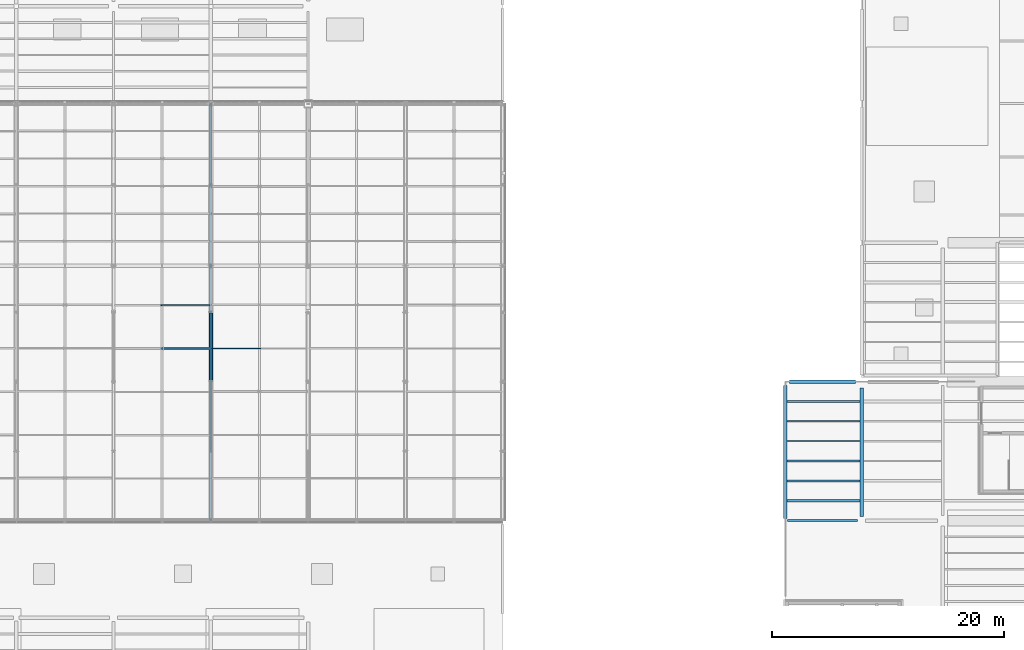
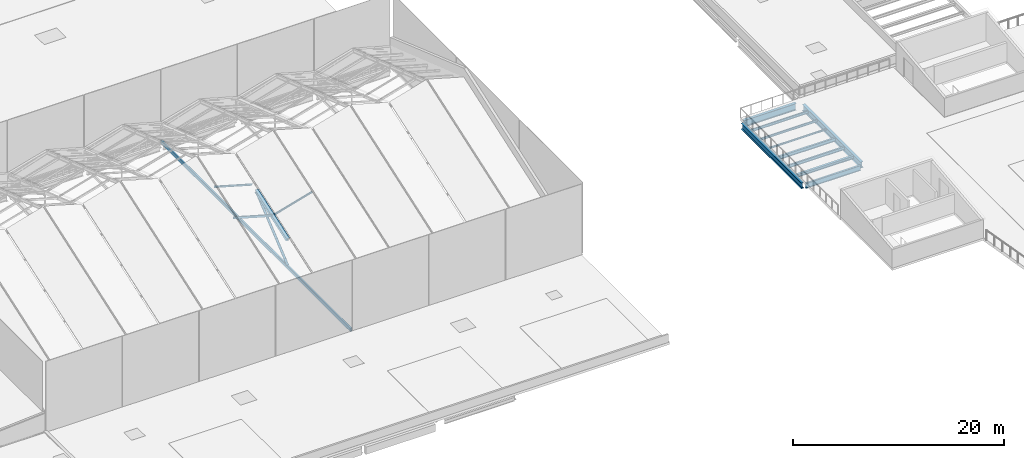
# One storey, part 24 of 77: 10 beams, 6 members.
"""IFC4 building model written with IfcOpenShell, lengths in metres."""

import ifcopenshell
import ifcopenshell.guid

model = None  # the IFC model being written
_history = None  # IfcOwnerHistory: only IFC2X3 demands one
_inside = {}  # id of a spatial element -> (the spatial element, [elements in it])
_under = {}  # id of a project, library or spatial element -> (it, [spatial elements below it])
_declared = {}  # id of a project -> (the project, [libraries it declares])
_typed = {}  # id of a type object -> (the type object, [elements of that type])
_made_of = {}  # id of a material, layer set ... -> (it, [elements and type objects made of it])


def new_model(schema):
    """Start an empty IFC model of exactly this schema.

    Asked for "IFC4X3", IfcOpenShell would pick the latest addendum, in which some entities
    have other attributes; the version numbers below select the first issue.
    IFC2X3 requires an IfcOwnerHistory on every rooted entity: one is made here for all.
    """
    global model, _history
    if schema == "IFC4X3":
        model = ifcopenshell.file(schema_version=(4, 3, 0, 0))
    else:
        model = ifcopenshell.file(schema=schema)
    _inside.clear()
    _under.clear()
    _declared.clear()
    _typed.clear()
    _made_of.clear()
    _history = None
    if model.schema == "IFC2X3":
        org = make("IfcOrganization", Name="unknown")
        user = make(
            "IfcPersonAndOrganization",
            ThePerson=make("IfcPerson", FamilyName="unknown"),
            TheOrganization=org,
        )
        app = make(
            "IfcApplication",
            ApplicationDeveloper=org,
            Version="unknown",
            ApplicationFullName="unknown",
            ApplicationIdentifier="unknown",
        )
        _history = make(
            "IfcOwnerHistory",
            OwningUser=user,
            OwningApplication=app,
            ChangeAction="ADDED",
            CreationDate=0,
        )
    return model


def make(cls, **values):
    """One entity of the class cls with the attributes given. An attribute that is None is left unset."""
    return model.create_entity(
        cls, **{name: value for name, value in values.items() if value is not None}
    )


def rooted(cls, **values):
    """An entity with a GlobalId (a new one), such as an element, a storey or a relation."""
    return make(cls, GlobalId=ifcopenshell.guid.new(), OwnerHistory=_history, **values)


def si_unit(unit_type, name, prefix=None):
    """IfcSIUnit, for example si_unit("LENGTHUNIT", "METRE", prefix="MILLI")."""
    return make("IfcSIUnit", UnitType=unit_type, Prefix=prefix, Name=name)


def assignment(units):
    """IfcUnitAssignment: the units of a project."""
    return None if units is None else make("IfcUnitAssignment", Units=units)


def point(xyz):
    """IfcCartesianPoint."""
    return None if xyz is None else make("IfcCartesianPoint", Coordinates=xyz)


def direction(xyz):
    """IfcDirection."""
    return None if xyz is None else make("IfcDirection", DirectionRatios=xyz)


def frame(location, z_axis=None, x_axis=None):
    """IfcAxis2Placement3D, a coordinate frame: its origin and axes. An axis left out is left unset."""
    return make(
        "IfcAxis2Placement3D",
        Location=point(location),
        Axis=direction(z_axis),
        RefDirection=direction(x_axis),
    )


def frame_2d(location, x_axis=None):
    """IfcAxis2Placement2D, a coordinate frame in the plane: its origin and x axis."""
    return make(
        "IfcAxis2Placement2D", Location=point(location), RefDirection=direction(x_axis)
    )


def origin():
    """The frame at (0, 0, 0) with its axes left unset."""
    return frame((0.0, 0.0, 0.0))


def origin_2d():
    """The frame at (0, 0) in the plane with its x axis left unset."""
    return frame_2d((0.0, 0.0))


def place(relative_to, where):
    """IfcLocalPlacement: puts the frame where relative to a parent placement (None: the world)."""
    return make(
        "IfcLocalPlacement", PlacementRelTo=relative_to, RelativePlacement=where
    )


def context(
    kind, dimensions, precision=None, world=None, true_north=None, identifier=None
):
    """IfcGeometricRepresentationContext, for example the 3D "Model" context."""
    return make(
        "IfcGeometricRepresentationContext",
        ContextIdentifier=identifier,
        ContextType=kind,
        CoordinateSpaceDimension=dimensions,
        Precision=precision,
        WorldCoordinateSystem=world,
        TrueNorth=true_north,
    )


def subcontext(parent, identifier, kind, view, scale=None):
    """IfcGeometricRepresentationSubContext, for example "Body" below "Model"."""
    return make(
        "IfcGeometricRepresentationSubContext",
        ContextIdentifier=identifier,
        ContextType=kind,
        ParentContext=parent,
        TargetScale=scale,
        TargetView=view,
    )


def project(units=None, contexts=None):
    """IfcProject with its units and contexts."""
    return rooted(
        "IfcProject",
        Name="project",
        RepresentationContexts=contexts,
        UnitsInContext=assignment(units),
    )


def spatial(cls, under=None, at=None, **own):
    """A site, building, storey or space (cls), placed at a placement, below another one or the project."""
    s = rooted(cls, ObjectPlacement=at, **own)
    if under is not None:
        _under.setdefault(under.id(), (under, []))[1].append(s)
    return s


def profile(cls, at=None, kind="AREA", **sizes):
    """A parametric profile (cls). Its sizes go by their IFC names, for example OverallWidth=200.0."""
    return make(cls, ProfileType=kind, Position=at, **sizes)


def hollow_rectangle(**sizes):
    """IfcRectangleHollowProfileDef."""
    return profile("IfcRectangleHollowProfileDef", **sizes)


def hollow_circle(**sizes):
    """IfcCircleHollowProfileDef."""
    return profile("IfcCircleHollowProfileDef", **sizes)


def i_section(**sizes):
    """IfcIShapeProfileDef."""
    return profile("IfcIShapeProfileDef", **sizes)


def extrude(swept, where, along, depth):
    """IfcExtrudedAreaSolid: the profile swept, set in the frame where, extruded along a direction by depth."""
    return make(
        "IfcExtrudedAreaSolid",
        SweptArea=swept,
        Position=where,
        ExtrudedDirection=direction(along),
        Depth=depth,
    )


def shape(context_of_items, identifier, shape_type, items):
    """IfcShapeRepresentation: the items that make up one representation, for example the "Body"."""
    return make(
        "IfcShapeRepresentation",
        ContextOfItems=context_of_items,
        RepresentationIdentifier=identifier,
        RepresentationType=shape_type,
        Items=items,
    )


def material(Name=None, Category=None):
    """IfcMaterial."""
    return make("IfcMaterial", Name=Name, Category=Category)


def material_profile(
    of_material, cross_section, Name=None, Category=None, Priority=None
):
    """IfcMaterialProfile: a cross section and its material."""
    return make(
        "IfcMaterialProfile",
        Name=Name,
        Material=of_material,
        Profile=cross_section,
        Priority=Priority,
        Category=Category,
    )


def profile_set(profiles, Name=None, composite=None):
    """IfcMaterialProfileSet."""
    return make(
        "IfcMaterialProfileSet",
        Name=Name,
        MaterialProfiles=profiles,
        CompositeProfile=composite,
    )


def made_of(thing, what):
    """Note that an element or type object is made of a material, layer set ...; save() writes the relation."""
    if what is not None:
        _made_of.setdefault(what.id(), (what, []))[1].append(thing)
    return thing


def type_object(cls, material=None, **own):
    """A type object (cls), such as IfcWallType, which elements share."""
    return made_of(rooted(cls, **own), material)


def element(
    cls,
    number,
    at=None,
    inside=None,
    cuts=None,
    type_object=None,
    material=None,
    context=None,
    identifier="Body",
    shape_type=None,
    held_by="IfcProductDefinitionShape",
    body=None,
    shapes=None,
    **own,
):
    """One element of the class cls, such as IfcWall. Its Tag is "e" and its number.

    at: its placement. inside: the storey or other place that contains it. cuts: it is an
    opening in that element (IfcRelVoidsElement). A single representation is given by context,
    identifier, shape_type and body (its items); several are given by shapes. held_by: the class
    of the entity that holds the representations. save() writes the other relations.
    """
    e = rooted(cls, Tag="e%d" % number, ObjectPlacement=at, **own)
    if body is not None:
        shapes = [shape(context, identifier, shape_type, body)]
    if shapes is not None:
        e.Representation = make(held_by, Representations=shapes)
    if inside is not None:
        _inside.setdefault(inside.id(), (inside, []))[1].append(e)
    if cuts is not None:
        rooted(
            "IfcRelVoidsElement", RelatingBuildingElement=cuts, RelatedOpeningElement=e
        )
    if type_object is not None:
        _typed.setdefault(type_object.id(), (type_object, []))[1].append(e)
    return made_of(e, material)


def aggregate(whole, parts):
    """IfcRelAggregates: a whole, such as a stair, and the parts it consists of."""
    return rooted("IfcRelAggregates", RelatingObject=whole, RelatedObjects=parts)


def save(model, path):
    """Write the relations noted so far, then the file.

    IfcRelAggregates (storeys below a building ...), IfcRelContainedInSpatialStructure (elements
    in a storey), IfcRelDefinesByType, IfcRelAssociatesMaterial and IfcRelDeclares: one each for
    every whole, place, type object, material and project.
    """
    for whole, parts in _under.values():
        aggregate(whole, parts)
    for where, things in _inside.values():
        rooted(
            "IfcRelContainedInSpatialStructure",
            RelatedElements=things,
            RelatingStructure=where,
        )
    for kind, things in _typed.values():
        rooted("IfcRelDefinesByType", RelatedObjects=things, RelatingType=kind)
    for what, things in _made_of.values():
        rooted("IfcRelAssociatesMaterial", RelatedObjects=things, RelatingMaterial=what)
    for by, libraries in _declared.values():
        rooted("IfcRelDeclares", RelatingContext=by, RelatedDefinitions=libraries)
    model.write(path)


model = new_model("IFC4")

# Units and contexts
model_context = context("Model", 3, precision=1e-05, world=origin(), true_north=direction((0.0, 1.0)))
body_context = subcontext(model_context, "Body", "Model", "MODEL_VIEW")
ifc_project = project(units=[si_unit("LENGTHUNIT", "METRE"), si_unit("AREAUNIT", "SQUARE_METRE"), si_unit("VOLUMEUNIT", "CUBIC_METRE"), si_unit("PLANEANGLEUNIT", "RADIAN"), si_unit("MASSUNIT", "GRAM", prefix="KILO")], contexts=[model_context])

# Site, building, storey
site_placement = place(None, origin())
site = spatial("IfcSite", under=ifc_project, at=site_placement, CompositionType="ELEMENT")
building_placement = place(site_placement, origin())
building = spatial("IfcBuilding", under=site, at=building_placement, Name="Larkvane Passage Sports Hall", CompositionType="ELEMENT")
storey_placement = place(building_placement, frame((0.0, 0.0, 22.199951171875)))
storey = spatial("IfcBuildingStorey", under=building, at=storey_placement, Name="RF", CompositionType="ELEMENT", Elevation=22.199951171875)

# Beams
ifc_material_1 = material(Name="Steel S355JR", Category="steel")
ifc_material_profile_1 = material_profile(ifc_material_1, i_section(OverallWidth=0.199951171875, OverallDepth=0.60009765625, WebThickness=0.010986328125, FlangeThickness=0.01708984375, FilletRadius=0.01806640625, at=origin_2d()), Name="H-600x200x11x17")
ifc_profile_set_1 = profile_set([ifc_material_profile_1], Name="Steel S355JR")
beam_type_1 = type_object("IfcBeamType", Name="BM-STL-H600", PredefinedType="BEAM", material=ifc_profile_set_1)
beam_1_placement = place(storey_placement, frame((118.199951171875, 39.60009765625, -0.679931640625), z_axis=(1.0, 0.0, 0.0), x_axis=(0.0, 1.0, 0.0)))
element("IfcBeam", 1, at=beam_1_placement, inside=storey, type_object=beam_type_1, Name="Girder BM5-X-RF-F-1138", PredefinedType="BEAM", context=body_context, shape_type="SweptSolid", body=[
    extrude(i_section(OverallWidth=0.199951171875, OverallDepth=0.60009765625, WebThickness=0.010986328125, FlangeThickness=0.01708984375, FilletRadius=0.01806640625, at=origin_2d()), origin(), (0.0, 0.0, 1.0), 6.050048828125),
])
ifc_material_2 = material(Name="Steel S460N", Category="steel")
ifc_material_profile_2 = material_profile(ifc_material_2, i_section(OverallWidth=0.300048828125, OverallDepth=0.69189453125, WebThickness=0.012939453125, FlangeThickness=0.02001953125, FilletRadius=0.02197265625, at=origin_2d()), Name="H-692x300x13x20")
ifc_profile_set_2 = profile_set([ifc_material_profile_2], Name="Steel S460N")
beam_type_2 = type_object("IfcBeamType", Name="BM-STL-H692", PredefinedType="BEAM", material=ifc_profile_set_2)
beam_2_placement = place(storey_placement, frame((118.0, 39.800048828125, -0.725830078125), z_axis=(0.0, 1.0, 0.0), x_axis=(-1.0, 0.0, 0.0)))
element("IfcBeam", 2, at=beam_2_placement, inside=storey, type_object=beam_type_2, Name="Girder BM5-Y-RF-16-1182", PredefinedType="BEAM", context=body_context, shape_type="SweptSolid", body=[
    extrude(i_section(OverallWidth=0.300048828125, OverallDepth=0.69189453125, WebThickness=0.012939453125, FlangeThickness=0.02001953125, FilletRadius=0.02197265625, at=origin_2d()), origin(), (0.0, 0.0, 1.0), 11.449951171875),
])
ifc_material_profile_3 = material_profile(ifc_material_2, i_section(OverallWidth=0.300048828125, OverallDepth=0.699951171875, WebThickness=0.012939453125, FlangeThickness=0.02392578125, FilletRadius=0.02197265625, at=origin_2d()), Name="H-700x300x13x24")
ifc_profile_set_3 = profile_set([ifc_material_profile_3], Name="Steel S460N")
beam_type_3 = type_object("IfcBeamType", Name="BM-STL-H700", PredefinedType="BEAM", material=ifc_profile_set_3)
beam_3_placement = place(storey_placement, frame((124.60009765625, 39.949951171875, -0.72998046875), z_axis=(0.0, 1.0, 0.0), x_axis=(-1.0, 0.0, 0.0)))
element("IfcBeam", 3, at=beam_3_placement, inside=storey, type_object=beam_type_3, Name="Girder BM5-Y-RF-17-1183", PredefinedType="BEAM", context=body_context, shape_type="SweptSolid", body=[
    extrude(i_section(OverallWidth=0.300048828125, OverallDepth=0.699951171875, WebThickness=0.012939453125, FlangeThickness=0.02392578125, FilletRadius=0.02197265625, at=origin_2d()), origin(), (0.0, 0.0, 1.0), 11.10009765625),
])
ifc_material_profile_4 = material_profile(ifc_material_2, i_section(OverallWidth=0.300048828125, OverallDepth=0.7919921875, WebThickness=0.013916015625, FlangeThickness=0.02197265625, FilletRadius=0.02197265625, at=origin_2d()), Name="H-792x300x14x22")
ifc_profile_set_4 = profile_set([ifc_material_profile_4], Name="Steel S460N")
beam_type_4 = type_object("IfcBeamType", Name="BM-STL-H792", PredefinedType="BEAM", material=ifc_profile_set_4)
beam_4_placement = place(storey_placement, frame((118.35009765625, 51.60009765625, -0.77587890625), z_axis=(1.0, 0.0, 0.0), x_axis=(0.0, 1.0, 0.0)))
element("IfcBeam", 4, at=beam_4_placement, inside=storey, type_object=beam_type_4, Name="Girder BM5-X-RF-G-1141", PredefinedType="BEAM", context=body_context, shape_type="SweptSolid", body=[
    extrude(i_section(OverallWidth=0.300048828125, OverallDepth=0.7919921875, WebThickness=0.013916015625, FlangeThickness=0.02197265625, FilletRadius=0.02197265625, at=origin_2d()), origin(), (0.0, 0.0, 1.0), 5.699951171875),
])
ifc_material_profile_5 = material_profile(ifc_material_1, i_section(OverallWidth=0.10009765625, OverallDepth=0.199951171875, WebThickness=0.005615234375, FlangeThickness=0.008056640625, FilletRadius=0.008056640625, at=origin_2d()), Name="H-200x100x5.5x8")
ifc_profile_set_5 = profile_set([ifc_material_profile_5], Name="Steel S355JR")
beam_type_5 = type_object("IfcBeamType", Name="JST-STL-H200", PredefinedType="JOIST", material=ifc_profile_set_5)
beam_5_placement = place(storey_placement, frame((118.14990234375, 46.45703125, -0.47998046875), z_axis=(1.0, 0.0, 0.0), x_axis=(0.0, 1.0, 0.0)))
element("IfcBeam", 5, at=beam_5_placement, inside=storey, type_object=beam_type_5, Name="Composite joist RF 16/F-4", PredefinedType="JOIST", context=body_context, shape_type="SweptSolid", body=[
    extrude(i_section(OverallWidth=0.10009765625, OverallDepth=0.199951171875, WebThickness=0.005615234375, FlangeThickness=0.008056640625, FilletRadius=0.008056640625, at=origin_2d()), origin(), (0.0, 0.0, 1.0), 6.300048828125),
])
ifc_material_profile_6 = material_profile(ifc_material_1, i_section(OverallWidth=0.125, OverallDepth=0.25, WebThickness=0.006103515625, FlangeThickness=0.009033203125, FilletRadius=0.008056640625, at=origin_2d()), Name="H-250x125x6x9")
ifc_profile_set_6 = profile_set([ifc_material_profile_6], Name="Steel S355JR")
beam_type_6 = type_object("IfcBeamType", Name="JST-STL-H250", PredefinedType="JOIST", material=ifc_profile_set_6)
beam_6_placement = place(storey_placement, frame((118.14990234375, 48.17138671875, -0.5048828125), z_axis=(1.0, 0.0, 0.0), x_axis=(0.0, 1.0, 0.0)))
element("IfcBeam", 6, at=beam_6_placement, inside=storey, type_object=beam_type_6, Name="Composite joist RF 16/F-5", PredefinedType="JOIST", context=body_context, shape_type="SweptSolid", body=[
    extrude(i_section(OverallWidth=0.125, OverallDepth=0.25, WebThickness=0.006103515625, FlangeThickness=0.009033203125, FilletRadius=0.008056640625, at=origin_2d()), origin(), (0.0, 0.0, 1.0), 6.300048828125),
])
ifc_material_profile_7 = material_profile(ifc_material_1, i_section(OverallWidth=0.14990234375, OverallDepth=0.300048828125, WebThickness=0.006591796875, FlangeThickness=0.009033203125, FilletRadius=0.012939453125, at=origin_2d()), Name="H-300x150x6.5x9")
ifc_profile_set_7 = profile_set([ifc_material_profile_7], Name="Steel S355JR")
beam_type_7 = type_object("IfcBeamType", Name="JST-STL-H300", PredefinedType="JOIST", material=ifc_profile_set_7)
beam_7_placement = place(storey_placement, frame((118.14990234375, 49.8857421875, -0.530029296875), z_axis=(1.0, 0.0, 0.0), x_axis=(0.0, 1.0, 0.0)))
element("IfcBeam", 7, at=beam_7_placement, inside=storey, type_object=beam_type_7, Name="Composite joist RF 16/F-6", PredefinedType="JOIST", context=body_context, shape_type="SweptSolid", body=[
    extrude(i_section(OverallWidth=0.14990234375, OverallDepth=0.300048828125, WebThickness=0.006591796875, FlangeThickness=0.009033203125, FilletRadius=0.012939453125, at=origin_2d()), origin(), (0.0, 0.0, 1.0), 6.300048828125),
])
ifc_material_profile_8 = material_profile(ifc_material_1, i_section(OverallWidth=0.25, OverallDepth=0.340087890625, WebThickness=0.009033203125, FlangeThickness=0.013916015625, FilletRadius=0.012939453125, at=origin_2d()), Name="H-340x250x9x14")
ifc_profile_set_8 = profile_set([ifc_material_profile_8], Name="Steel S355JR")
beam_type_8 = type_object("IfcBeamType", Name="JST-STL-H340", PredefinedType="JOIST", material=ifc_profile_set_8)
beam_8_placement = place(storey_placement, frame((118.14990234375, 41.314208984375, -0.550048828125), z_axis=(1.0, 0.0, 0.0), x_axis=(0.0, 1.0, 0.0)))
element("IfcBeam", 8, at=beam_8_placement, inside=storey, type_object=beam_type_8, Name="Composite joist RF 16/F-1", PredefinedType="JOIST", context=body_context, shape_type="SweptSolid", body=[
    extrude(i_section(OverallWidth=0.25, OverallDepth=0.340087890625, WebThickness=0.009033203125, FlangeThickness=0.013916015625, FilletRadius=0.012939453125, at=origin_2d()), origin(), (0.0, 0.0, 1.0), 6.300048828125),
])
ifc_material_profile_9 = material_profile(ifc_material_1, i_section(OverallWidth=0.175048828125, OverallDepth=0.35009765625, WebThickness=0.007080078125, FlangeThickness=0.010986328125, FilletRadius=0.012939453125, at=origin_2d()), Name="H-350x175x7x11")
ifc_profile_set_9 = profile_set([ifc_material_profile_9], Name="Steel S355JR")
beam_type_9 = type_object("IfcBeamType", Name="JST-STL-H350", PredefinedType="JOIST", material=ifc_profile_set_9)
beam_9_placement = place(storey_placement, frame((118.14990234375, 43.028564453125, -0.554931640625), z_axis=(1.0, 0.0, 0.0), x_axis=(0.0, 1.0, 0.0)))
element("IfcBeam", 9, at=beam_9_placement, inside=storey, type_object=beam_type_9, Name="Composite joist RF 16/F-2", PredefinedType="JOIST", context=body_context, shape_type="SweptSolid", body=[
    extrude(i_section(OverallWidth=0.175048828125, OverallDepth=0.35009765625, WebThickness=0.007080078125, FlangeThickness=0.010986328125, FilletRadius=0.012939453125, at=origin_2d()), origin(), (0.0, 0.0, 1.0), 6.300048828125),
])
ifc_material_profile_10 = material_profile(ifc_material_1, i_section(OverallWidth=0.199951171875, OverallDepth=0.39990234375, WebThickness=0.008056640625, FlangeThickness=0.012939453125, FilletRadius=0.012939453125, at=origin_2d()), Name="H-400x200x8x13")
ifc_profile_set_10 = profile_set([ifc_material_profile_10], Name="Steel S355JR")
beam_type_10 = type_object("IfcBeamType", Name="JST-STL-H400", PredefinedType="JOIST", material=ifc_profile_set_10)
beam_10_placement = place(storey_placement, frame((118.14990234375, 44.742919921875, -0.579833984375), z_axis=(1.0, 0.0, 0.0), x_axis=(0.0, 1.0, 0.0)))
element("IfcBeam", 10, at=beam_10_placement, inside=storey, type_object=beam_type_10, Name="Composite joist RF 16/F-3", PredefinedType="JOIST", context=body_context, shape_type="SweptSolid", body=[
    extrude(i_section(OverallWidth=0.199951171875, OverallDepth=0.39990234375, WebThickness=0.008056640625, FlangeThickness=0.012939453125, FilletRadius=0.012939453125, at=origin_2d()), origin(), (0.0, 0.0, 1.0), 6.300048828125),
])

# Members
ifc_material_profile_11 = material_profile(ifc_material_1, hollow_circle(Radius=0.1337890625, WallThickness=0.00927734375, at=origin_2d()), Name="CHS-267.4x9.3")
ifc_profile_set_11 = profile_set([ifc_material_profile_11], Name="Steel S355JR")
member_type_1 = type_object("IfcMemberType", Name="MBR-BR-CHS267", PredefinedType="BRACE", material=ifc_profile_set_11)
member_1_placement = place(storey_placement, frame((68.39990234375, 51.64990234375, 0.239990234375), z_axis=(0.0, 0.76972551411, 0.638374993971), x_axis=(-1.0, 0.0, 0.0)))
element("IfcMember", 11, at=member_1_placement, inside=storey, type_object=member_type_1, Name="Arena roof truss 5 web brace 3", PredefinedType="BRACE", context=body_context, shape_type="SweptSolid", body=[
    extrude(hollow_circle(Radius=0.1337890625, WallThickness=0.00927734375, at=origin_2d()), origin(), (0.0, 0.0, 1.0), 7.665283203125),
])
ifc_material_profile_12 = material_profile(ifc_material_2, i_section(OverallWidth=0.35009765625, OverallDepth=0.35009765625, WebThickness=0.011962890625, FlangeThickness=0.01904296875, FilletRadius=0.012939453125, at=origin_2d()), Name="H-350x350x12x19")
ifc_profile_set_12 = profile_set([ifc_material_profile_12], Name="Steel S460N")
member_type_2 = type_object("IfcMemberType", Name="MBR-CH-H350", PredefinedType="CHORD", material=ifc_profile_set_12)
member_2_placement = place(storey_placement, frame((68.39990234375, 51.60009765625, 3.2255859375), z_axis=(0.0, 0.945188910593, 0.326524001096), x_axis=(-1.0, 0.0, 0.0)))
element("IfcMember", 12, at=member_2_placement, inside=storey, type_object=member_type_2, Name="Arena roof truss 5 top chord 3", PredefinedType="CHORD", context=body_context, shape_type="SweptSolid", body=[
    extrude(i_section(OverallWidth=0.35009765625, OverallDepth=0.35009765625, WebThickness=0.011962890625, FlangeThickness=0.01904296875, FilletRadius=0.012939453125, at=origin_2d()), origin(), (0.0, 0.0, 1.0), 6.347900390625),
])
ifc_material_profile_13 = material_profile(ifc_material_2, hollow_rectangle(XDim=0.199951171875, YDim=0.39990234375, WallThickness=0.013916015625, InnerFilletRadius=0.013916015625, OuterFilletRadius=0.028076171875, at=origin_2d()), Name="RHS-400x200x14")
ifc_profile_set_13 = profile_set([ifc_material_profile_13], Name="Steel S460N")
member_type_3 = type_object("IfcMemberType", Name="MBR-CH-RHS400", PredefinedType="CHORD", material=ifc_profile_set_13)
member_3_placement = place(storey_placement, frame((68.39990234375, 39.60009765625, 0.050048828125), z_axis=(0.0, 1.0, 0.0), x_axis=(-1.0, 0.0, 0.0)))
element("IfcMember", 13, at=member_3_placement, inside=storey, type_object=member_type_3, Name="Arena roof truss 5 bottom chord", PredefinedType="CHORD", context=body_context, shape_type="SweptSolid", body=[
    extrude(hollow_rectangle(XDim=0.199951171875, YDim=0.39990234375, WallThickness=0.013916015625, InnerFilletRadius=0.013916015625, OuterFilletRadius=0.028076171875, at=origin_2d()), origin(), (0.0, 0.0, 1.0), 36.0),
])
ifc_material_profile_14 = material_profile(ifc_material_1, i_section(OverallWidth=0.10009765625, OverallDepth=0.199951171875, WebThickness=0.005615234375, FlangeThickness=0.008056640625, FilletRadius=0.008056640625, at=origin_2d()), Name="H-200x100x5.5x8")
ifc_profile_set_14 = profile_set([ifc_material_profile_14], Name="Steel S355JR")
member_type_4 = type_object("IfcMemberType", Name="MBR-PR-H200", PredefinedType="PURLIN", material=ifc_profile_set_14)
member_4_placement = place(storey_placement, frame((64.104736328125, 58.195068359375, 6.85107421875), z_axis=(0.961515511102, 0.0, -0.274750654067), x_axis=(0.0, 1.0, 0.0)))
element("IfcMember", 14, at=member_4_placement, inside=storey, type_object=member_type_4, Name="Folded roof purlin FRP-B4-SE-5", PredefinedType="PURLIN", context=body_context, shape_type="SweptSolid", body=[
    extrude(i_section(OverallWidth=0.10009765625, OverallDepth=0.199951171875, WebThickness=0.005615234375, FlangeThickness=0.008056640625, FilletRadius=0.008056640625, at=origin_2d()), origin(), (0.0, 0.0, 1.0), 4.368408203125),
])
member_5_placement = place(storey_placement, frame((68.505615234375, 54.4677734375, 4.322509765625), z_axis=(0.96152605678, 0.0, 0.274713745804), x_axis=(0.0, 1.0, 0.0)))
element("IfcMember", 15, at=member_5_placement, inside=storey, type_object=member_type_4, Name="Folded roof purlin FRP-B5-SW-4", PredefinedType="PURLIN", context=body_context, shape_type="SweptSolid", body=[
    extrude(i_section(OverallWidth=0.10009765625, OverallDepth=0.199951171875, WebThickness=0.005615234375, FlangeThickness=0.008056640625, FilletRadius=0.008056640625, at=origin_2d()), origin(), (0.0, 0.0, 1.0), 4.367919921875),
])
ifc_material_profile_15 = material_profile(ifc_material_1, hollow_rectangle(XDim=0.14990234375, YDim=0.25, WallThickness=0.009033203125, InnerFilletRadius=0.009033203125, OuterFilletRadius=0.01806640625, at=origin_2d()), Name="RHS-250x150x9")
ifc_profile_set_15 = profile_set([ifc_material_profile_15], Name="Steel S355JR")
member_type_5 = type_object("IfcMemberType", Name="MBR-PR-RHS250", PredefinedType="PURLIN", material=ifc_profile_set_15)
member_6_placement = place(storey_placement, frame((64.098388671875, 54.462890625, 5.5361328125), z_axis=(0.96152605678, 0.0, -0.274713745804), x_axis=(0.0, 1.0, 0.0)))
element("IfcMember", 16, at=member_6_placement, inside=storey, type_object=member_type_5, Name="Folded roof purlin FRP-B4-SE-4", PredefinedType="PURLIN", context=body_context, shape_type="SweptSolid", body=[
    extrude(hollow_rectangle(XDim=0.14990234375, YDim=0.25, WallThickness=0.009033203125, InnerFilletRadius=0.009033203125, OuterFilletRadius=0.01806640625, at=origin_2d()), origin(), (0.0, 0.0, 1.0), 4.367919921875),
])

save(model, "model.ifc")
